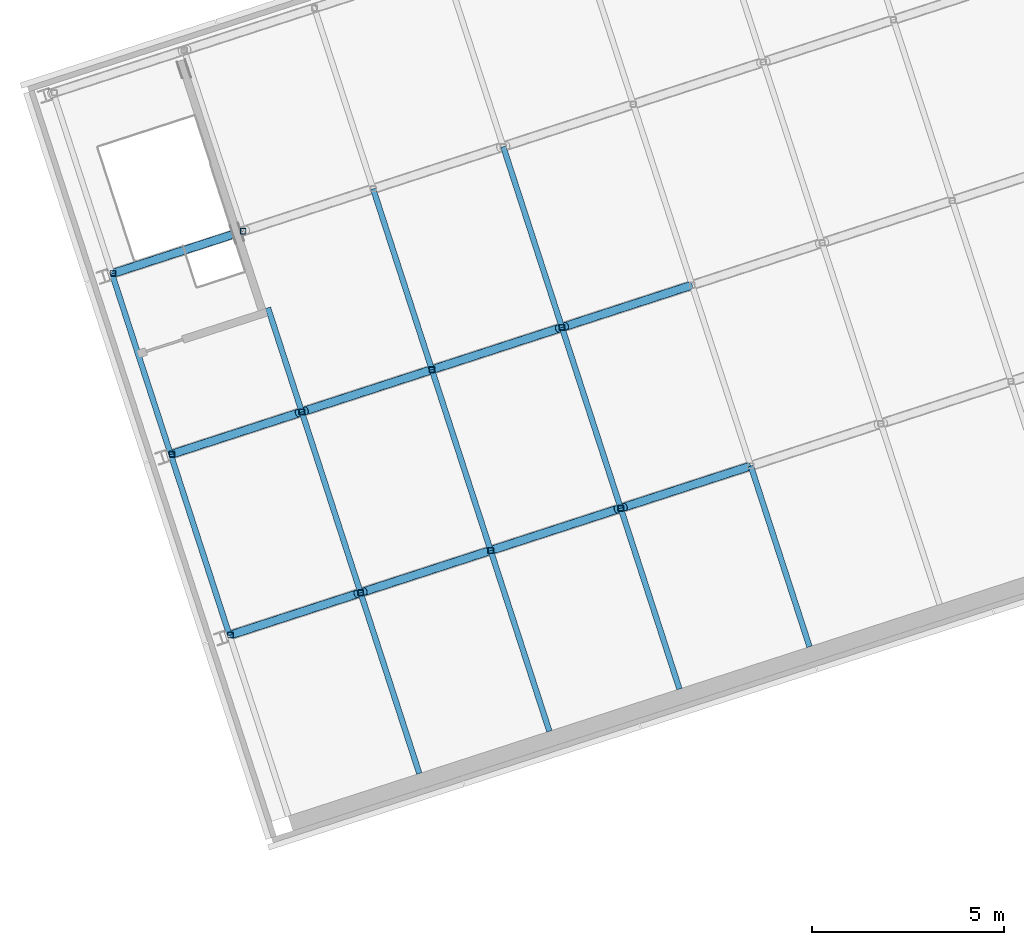
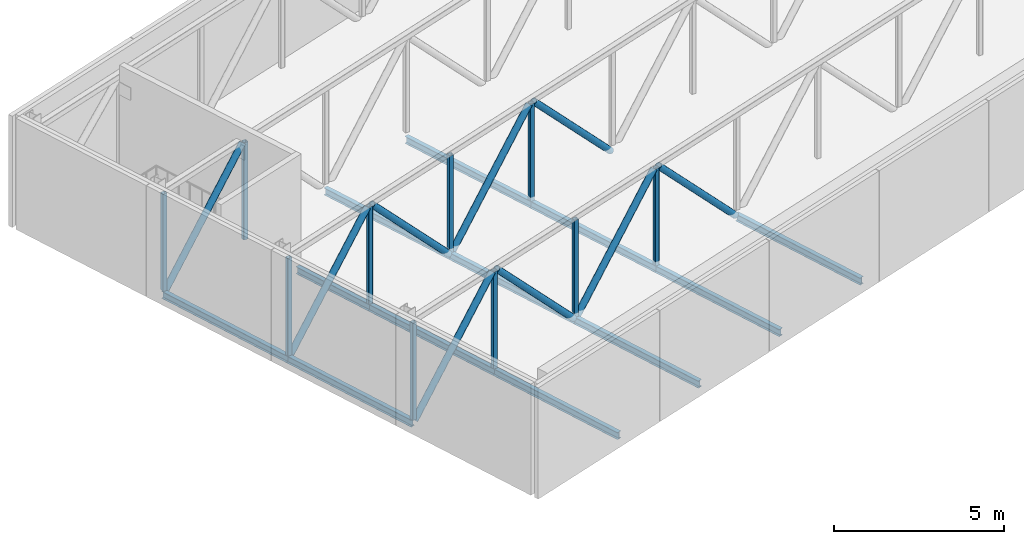
# One storey, part 3 of 52: 19 members, 12 beams.
"""IFC4 building model written with IfcOpenShell, lengths in metres."""

from ifc_helpers import new_model, si_unit, direction, frame, origin, origin_2d, place, context, subcontext, project, spatial, hollow_rectangle, hollow_circle, i_section, extrude, material, material_profile, profile_set, type_object, element, save


model = new_model("IFC4")

# Units and contexts
model_context = context("Model", 3, precision=1e-05, world=origin(), true_north=direction((0.0, 1.0)))
body_context = subcontext(model_context, "Body", "Model", "MODEL_VIEW")
ifc_project = project(units=[si_unit("LENGTHUNIT", "METRE"), si_unit("AREAUNIT", "SQUARE_METRE"), si_unit("VOLUMEUNIT", "CUBIC_METRE"), si_unit("PLANEANGLEUNIT", "RADIAN"), si_unit("MASSUNIT", "GRAM", prefix="KILO")], contexts=[model_context])

# Site, building, storey
site_placement = place(None, origin())
site = spatial("IfcSite", under=ifc_project, at=site_placement, CompositionType="ELEMENT")
building_placement = place(site_placement, origin())
building = spatial("IfcBuilding", under=site, at=building_placement, Name="Tuart Plaza Theatre", CompositionType="ELEMENT")
storey_placement = place(building_placement, frame((0.0, 0.0, 25.5)))
storey = spatial("IfcBuildingStorey", under=building, at=storey_placement, Name="L06", CompositionType="ELEMENT", Elevation=25.5)

# Beams
ifc_material_1 = material(Name="Steel Grade 300", Category="steel")
ifc_material_profile_1 = material_profile(ifc_material_1, i_section(OverallWidth=0.14599609375, OverallDepth=0.256103515625, WebThickness=0.00634765625, FlangeThickness=0.010986328125, FilletRadius=0.0087890625, at=origin_2d()), Name="250UB37.3")
ifc_profile_set_1 = profile_set([ifc_material_profile_1], Name="Steel Grade 300")
beam_type = type_object("IfcBeamType", Name="BEAM 250UB37.3", PredefinedType="BEAM", material=ifc_profile_set_1)
beam_1_placement = place(storey_placement, frame((39.973388671875, 73.59814453125, -0.278076171875), z_axis=(-0.308997967382, 0.951062698329, 0.0), x_axis=(-0.951062698329, -0.308997967382, 0.0)))
element("IfcBeam", 1, at=beam_1_placement, inside=storey, type_object=beam_type, Name="SB56", PredefinedType="BEAM", context=body_context, shape_type="SweptSolid", body=[
    extrude(i_section(OverallWidth=0.14599609375, OverallDepth=0.256103515625, WebThickness=0.00634765625, FlangeThickness=0.010986328125, FilletRadius=0.0087890625, at=origin_2d()), origin(), (0.0, 0.0, 1.0), 4.949951171875),
])
beam_2_placement = place(storey_placement, frame((38.44384765625, 78.305908203125, -0.278076171875), z_axis=(-0.309042578481, 0.951048203135, 0.0), x_axis=(-0.951048203135, -0.309042578481, 0.0)))
element("IfcBeam", 2, at=beam_2_placement, inside=storey, type_object=beam_type, Name="SB57", PredefinedType="BEAM", context=body_context, shape_type="SweptSolid", body=[
    extrude(i_section(OverallWidth=0.14599609375, OverallDepth=0.256103515625, WebThickness=0.00634765625, FlangeThickness=0.010986328125, FilletRadius=0.0087890625, at=origin_2d()), origin(), (0.0, 0.0, 1.0), 4.9501953125),
])
for number, where, z_axis, x_axis, name in (
    (3, (44.91552734375, 69.999267578125, -0.278076171875), (-0.308997967382, 0.951062698329, 0.0), (-0.951062698329, -0.308997967382, 0.0), "SB59"),
    (4, (43.385986328125, 74.70703125, -0.278076171875), (-0.309057075145, 0.95104349233, 0.0), (-0.95104349233, -0.309057075145, 0.0), "SB60"),
):
    element("IfcBeam", number, at=place(storey_placement, frame(where, z_axis=z_axis, x_axis=x_axis)), inside=storey, type_object=beam_type, Name=name, PredefinedType="BEAM", context=body_context, shape_type="SweptSolid", body=[
        extrude(i_section(OverallWidth=0.14599609375, OverallDepth=0.256103515625, WebThickness=0.00634765625, FlangeThickness=0.010986328125, FilletRadius=0.0087890625, at=origin_2d()), origin(), (0.0, 0.0, 1.0), 4.949951171875),
    ])
beam_3_placement = place(storey_placement, frame((41.856201171875, 79.41455078125, -0.278076171875), z_axis=(-0.308971793624, 0.951071201722, 0.0), x_axis=(-0.951071201722, -0.308971793624, 0.0)))
element("IfcBeam", 5, at=beam_3_placement, inside=storey, type_object=beam_type, Name="SB61", PredefinedType="BEAM", context=body_context, shape_type="SweptSolid", body=[
    extrude(i_section(OverallWidth=0.14599609375, OverallDepth=0.256103515625, WebThickness=0.00634765625, FlangeThickness=0.010986328125, FilletRadius=0.0087890625, at=origin_2d()), origin(), (0.0, 0.0, 1.0), 2.85009765625),
])
beam_4_placement = place(storey_placement, frame((48.302490234375, 71.099609375, -0.278076171875), z_axis=(-0.309042578481, 0.951048203135, 0.0), x_axis=(-0.951048203135, -0.309042578481, 0.0)))
element("IfcBeam", 6, at=beam_4_placement, inside=storey, type_object=beam_type, Name="SB63", PredefinedType="BEAM", context=body_context, shape_type="SweptSolid", body=[
    extrude(i_section(OverallWidth=0.14599609375, OverallDepth=0.256103515625, WebThickness=0.00634765625, FlangeThickness=0.010986328125, FilletRadius=0.0087890625, at=origin_2d()), origin(), (0.0, 0.0, 1.0), 4.9501953125),
])
beam_5_placement = place(storey_placement, frame((46.772705078125, 75.807373046875, -0.278076171875), z_axis=(-0.308997967382, 0.951062698329, 0.0), x_axis=(-0.951062698329, -0.308997967382, 0.0)))
element("IfcBeam", 7, at=beam_5_placement, inside=storey, type_object=beam_type, Name="SB64", PredefinedType="BEAM", context=body_context, shape_type="SweptSolid", body=[
    extrude(i_section(OverallWidth=0.14599609375, OverallDepth=0.256103515625, WebThickness=0.00634765625, FlangeThickness=0.010986328125, FilletRadius=0.0087890625, at=origin_2d()), origin(), (0.0, 0.0, 1.0), 4.949951171875),
])
beam_6_placement = place(storey_placement, frame((45.2431640625, 80.51513671875, -0.278076171875), z_axis=(-0.309042578481, 0.951048203135, 0.0), x_axis=(-0.951048203135, -0.309042578481, 0.0)))
element("IfcBeam", 8, at=beam_6_placement, inside=storey, type_object=beam_type, Name="SB65", PredefinedType="BEAM", context=body_context, shape_type="SweptSolid", body=[
    extrude(i_section(OverallWidth=0.14599609375, OverallDepth=0.256103515625, WebThickness=0.00634765625, FlangeThickness=0.010986328125, FilletRadius=0.0087890625, at=origin_2d()), origin(), (0.0, 0.0, 1.0), 4.9501953125),
])
beam_7_placement = place(storey_placement, frame((51.689208984375, 72.2001953125, -0.278076171875), z_axis=(-0.309012462396, 0.951057988813, 0.0), x_axis=(-0.951057988813, -0.309012462396, 0.0)))
element("IfcBeam", 9, at=beam_7_placement, inside=storey, type_object=beam_type, Name="SB67", PredefinedType="BEAM", context=body_context, shape_type="SweptSolid", body=[
    extrude(i_section(OverallWidth=0.14599609375, OverallDepth=0.256103515625, WebThickness=0.00634765625, FlangeThickness=0.010986328125, FilletRadius=0.0087890625, at=origin_2d()), origin(), (0.0, 0.0, 1.0), 4.94970703125),
])
beam_8_placement = place(storey_placement, frame((50.15966796875, 76.90771484375, -0.278076171875), z_axis=(-0.309042578481, 0.951048203135, 0.0), x_axis=(-0.951048203135, -0.309042578481, 0.0)))
element("IfcBeam", 10, at=beam_8_placement, inside=storey, type_object=beam_type, Name="SB68", PredefinedType="BEAM", context=body_context, shape_type="SweptSolid", body=[
    extrude(i_section(OverallWidth=0.14599609375, OverallDepth=0.256103515625, WebThickness=0.00634765625, FlangeThickness=0.010986328125, FilletRadius=0.0087890625, at=origin_2d()), origin(), (0.0, 0.0, 1.0), 4.9501953125),
])
for number, where, z_axis, x_axis, name in (
    (11, (48.6298828125, 81.615478515625, -0.278076171875), (-0.308997967382, 0.951062698329, 0.0), (-0.951062698329, -0.308997967382, 0.0), "SB69"),
    (12, (55.075927734375, 73.300537109375, -0.278076171875), (-0.308997967382, 0.951062698329, 0.0), (-0.951062698329, -0.308997967382, 0.0), "SB71"),
):
    element("IfcBeam", number, at=place(storey_placement, frame(where, z_axis=z_axis, x_axis=x_axis)), inside=storey, type_object=beam_type, Name=name, PredefinedType="BEAM", context=body_context, shape_type="SweptSolid", body=[
        extrude(i_section(OverallWidth=0.14599609375, OverallDepth=0.256103515625, WebThickness=0.00634765625, FlangeThickness=0.010986328125, FilletRadius=0.0087890625, at=origin_2d()), origin(), (0.0, 0.0, 1.0), 4.949951171875),
    ])

# Members
ifc_material_2 = material(Name="Steel Grade C350L0", Category="steel")
ifc_material_profile_2 = material_profile(ifc_material_2, hollow_circle(Radius=0.109619140625, WallThickness=0.00830078125, at=origin_2d()), Name="219.1x8.2 CHS")
ifc_profile_set_2 = profile_set([ifc_material_profile_2], Name="Steel Grade C350L0")
member_type_1 = type_object("IfcMemberType", Name="MEMBER Brace 219.1x8.2 CHS", PredefinedType="BRACE", material=ifc_profile_set_2)
member_1_placement = place(storey_placement, frame((40.042724609375, 73.62060546875, -0.226806640625), z_axis=(0.657515227727, 0.213627047939, 0.722521425078), x_axis=(-0.309000509275, 0.951061872471, 0.0)))
element("IfcMember", 13, at=member_1_placement, inside=storey, type_object=member_type_1, Name="BR31", PredefinedType="BRACE", context=body_context, shape_type="SweptSolid", body=[
    extrude(hollow_circle(Radius=0.109619140625, WallThickness=0.00830078125, at=origin_2d()), origin(), (0.0, 0.0, 1.0), 4.9462890625),
])
for number, where, z_axis, x_axis, name in (
    (14, (43.47705078125, 74.736572265625, 3.346923828125), (0.657359012755, 0.213598153672, -0.722672095142), (-0.309029116035, 0.951052577644, 0.0), "BR32"),
    (15, (46.84228515625, 75.829833984375, -0.199951171875), (0.657359012755, 0.213598153672, 0.722672095142), (-0.309029116035, 0.951052577644, 0.0), "BR33"),
):
    element("IfcMember", number, at=place(storey_placement, frame(where, z_axis=z_axis, x_axis=x_axis)), inside=storey, type_object=member_type_1, Name=name, PredefinedType="BRACE", context=body_context, shape_type="SweptSolid", body=[
        extrude(hollow_circle(Radius=0.109619140625, WallThickness=0.00830078125, at=origin_2d()), origin(), (0.0, 0.0, 1.0), 4.907958984375),
    ])
member_2_placement = place(storey_placement, frame((50.25048828125, 76.9375, 3.346923828125), z_axis=(0.657394243253, 0.213543695996, -0.722656141493), x_axis=(-0.308942872427, 0.951080596783, 0.0)))
element("IfcMember", 16, at=member_2_placement, inside=storey, type_object=member_type_1, Name="BR34", PredefinedType="BRACE", context=body_context, shape_type="SweptSolid", body=[
    extrude(hollow_circle(Radius=0.109619140625, WallThickness=0.00830078125, at=origin_2d()), origin(), (0.0, 0.0, 1.0), 4.908203125),
])
member_3_placement = place(storey_placement, frame((38.51318359375, 78.328369140625, -0.226806640625), z_axis=(0.657515227727, 0.213627047939, 0.722521425078), x_axis=(-0.309000509275, 0.951061872471, 0.0)))
element("IfcMember", 17, at=member_3_placement, inside=storey, type_object=member_type_1, Name="BR39", PredefinedType="BRACE", context=body_context, shape_type="SweptSolid", body=[
    extrude(hollow_circle(Radius=0.109619140625, WallThickness=0.00830078125, at=origin_2d()), origin(), (0.0, 0.0, 1.0), 4.9462890625),
])
for number, where, z_axis, x_axis, name in (
    (18, (41.947265625, 79.4443359375, 3.346923828125), (0.657365996557, 0.213550679018, -0.722679772833), (-0.308964019046, 0.951073727392, 0.0), "BR40"),
    (19, (45.3125, 80.53759765625, -0.199951171875), (0.657359012755, 0.213598153672, 0.722672095142), (-0.309029116035, 0.951052577644, 0.0), "BR41"),
    (20, (48.720947265625, 81.64501953125, 3.346923828125), (0.657359012755, 0.213598153672, -0.722672095142), (-0.309029116035, 0.951052577644, 0.0), "BR42"),
):
    element("IfcMember", number, at=place(storey_placement, frame(where, z_axis=z_axis, x_axis=x_axis)), inside=storey, type_object=member_type_1, Name=name, PredefinedType="BRACE", context=body_context, shape_type="SweptSolid", body=[
        extrude(hollow_circle(Radius=0.109619140625, WallThickness=0.00830078125, at=origin_2d()), origin(), (0.0, 0.0, 1.0), 4.907958984375),
    ])
member_4_placement = place(storey_placement, frame((36.983642578125, 83.0361328125, -0.226806640625), z_axis=(0.657487206385, 0.213633981174, 0.722544874404), x_axis=(-0.309021492288, 0.951055054823, 0.0)))
element("IfcMember", 21, at=member_4_placement, inside=storey, type_object=member_type_1, Name="BR47", PredefinedType="BRACE", context=body_context, shape_type="SweptSolid", body=[
    extrude(hollow_circle(Radius=0.109619140625, WallThickness=0.00830078125, at=origin_2d()), origin(), (0.0, 0.0, 1.0), 4.946044921875),
])
ifc_material_3 = material(Name="Steel Grade C350L0", Category="steel")
ifc_material_profile_3 = material_profile(ifc_material_3, hollow_rectangle(XDim=0.14990234375, YDim=0.14990234375, WallThickness=0.009033203125, InnerFilletRadius=0.009033203125, OuterFilletRadius=0.01806640625, at=origin_2d()), Name="150x150x9 SHS")
ifc_profile_set_3 = profile_set([ifc_material_profile_3], Name="Steel Grade C350L0")
member_type_2 = type_object("IfcMemberType", Name="MEMBER Post 150x150x9 SHS", PredefinedType="POST", material=ifc_profile_set_3)
for number, where, z_axis, x_axis, name in (
    (22, (39.9990234375, 73.6064453125, -0.14990234375), (0.0, 0.0, 1.0), (1.0, 0.0, 0.0), "PO36"),
    (23, (43.385986328125, 74.70703125, -0.14990234375), (0.0, 0.0, 1.0), (1.0, 0.0, 0.0), "PO37"),
    (24, (46.772705078125, 75.807373046875, -0.14990234375), (0.0, 0.0, 1.0), (1.0, 0.0, 0.0), "PO38"),
    (25, (50.15966796875, 76.90771484375, -0.14990234375), (0.0, 0.0, 1.0), (1.0, 0.0, 0.0), "PO39"),
    (26, (38.469482421875, 78.314208984375, -0.14990234375), (0.0, 0.0, 1.0), (1.0, 0.0, 0.0), "PO45"),
    (27, (41.856201171875, 79.41455078125, -0.14990234375), (0.0, 0.0, 1.0), (1.0, 0.0, 0.0), "PO46"),
    (28, (45.2431640625, 80.51513671875, -0.14990234375), (0.0, 0.0, 1.0), (1.0, 0.0, 0.0), "PO47"),
    (29, (48.6298828125, 81.615478515625, -0.14990234375), (0.0, 0.0, 1.0), (1.0, 0.0, 0.0), "PO48"),
    (30, (36.939697265625, 83.02197265625, -0.14990234375), (0.0, 0.0, 1.0), (1.0, 0.0, 0.0), "PO54"),
    (31, (40.32666015625, 84.122314453125, -0.14990234375), (0.0, 0.0, 1.0), (1.0, 0.0, 0.0), "PO55"),
):
    element("IfcMember", number, at=place(storey_placement, frame(where, z_axis=z_axis, x_axis=x_axis)), inside=storey, type_object=member_type_2, Name=name, PredefinedType="POST", context=body_context, shape_type="SweptSolid", body=[
        extrude(hollow_rectangle(XDim=0.14990234375, YDim=0.14990234375, WallThickness=0.009033203125, InnerFilletRadius=0.009033203125, OuterFilletRadius=0.01806640625, at=origin_2d()), origin(), (0.0, 0.0, 1.0), 3.496826171875),
    ])

save(model, "model.ifc")
